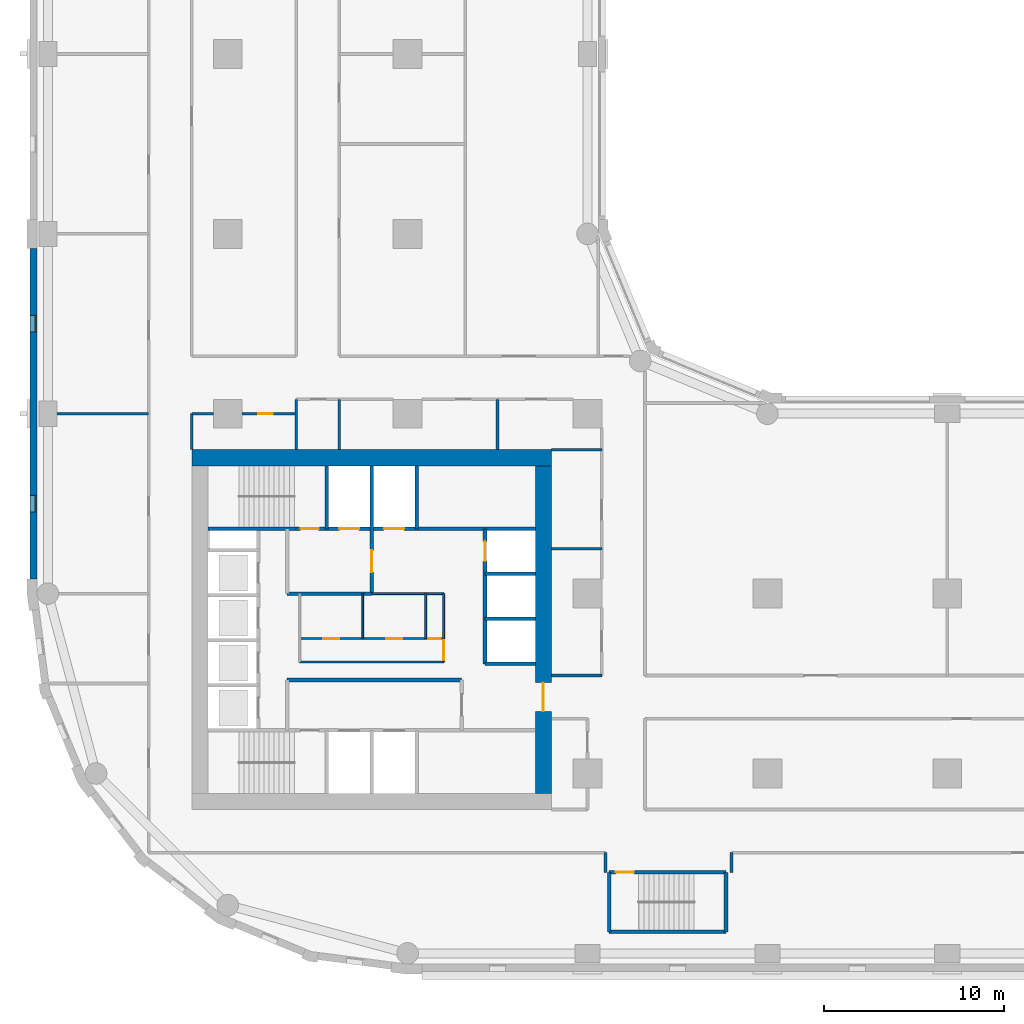
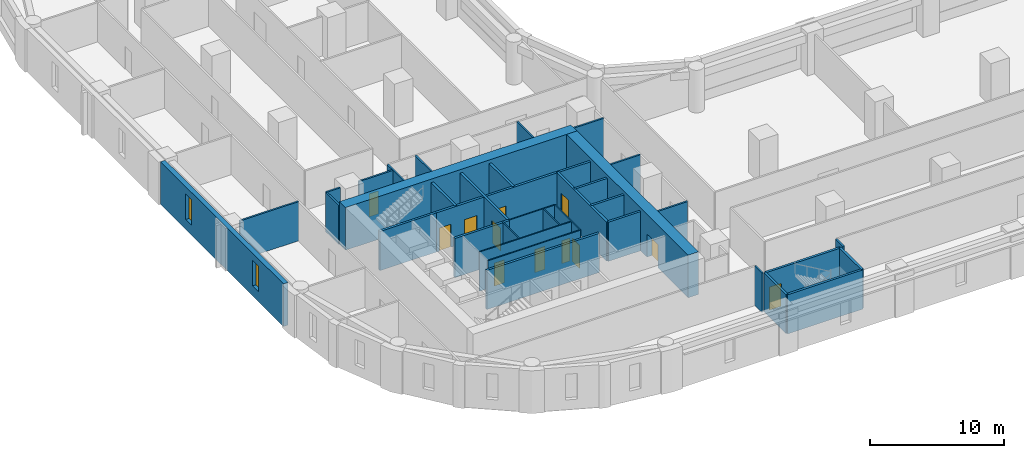
# One storey, part 3 of 10: 36 walls, 12 doors, 2 windows, 14 openings.
"""IFC4 building model written with IfcOpenShell, lengths in metres."""

from ifc_helpers import new_model, si_unit, direction, frame, frame_2d, origin, place, context, subcontext, project, spatial, rectangle, extrude, material, layer, layer_set, type_object, element, fill, save


model = new_model("IFC4")

# Units and contexts
model_context = context("Model", 3, precision=1e-05, world=origin(), true_north=direction((0.0, 1.0)))
body_context = subcontext(model_context, "Body", "Model", "MODEL_VIEW")
ifc_project = project(units=[si_unit("LENGTHUNIT", "METRE"), si_unit("AREAUNIT", "SQUARE_METRE"), si_unit("VOLUMEUNIT", "CUBIC_METRE"), si_unit("PLANEANGLEUNIT", "RADIAN"), si_unit("MASSUNIT", "GRAM", prefix="KILO")], contexts=[model_context])

# Site, building, storey
site_placement = place(None, origin())
site = spatial("IfcSite", under=ifc_project, at=site_placement, CompositionType="ELEMENT")
building_placement = place(site_placement, origin())
building = spatial("IfcBuilding", under=site, at=building_placement, Name="Qaws Garden Tower", CompositionType="ELEMENT")
storey_placement = place(building_placement, frame((0.0, 0.0, 62.699951171875)))
storey = spatial("IfcBuildingStorey", under=building, at=storey_placement, Name="L15", CompositionType="ELEMENT", Elevation=62.699951171875)

# Wall, openings, windows
ifc_material_1 = material(Name="Clay facing brick masonry", Category="masonry")
ifc_layer_1 = layer(ifc_material_1, 0.39990234375)
ifc_layer_set_1 = layer_set([ifc_layer_1], Name="Clay facing brick masonry")
wall_type_1 = type_object("IfcWallType", Name="Brick infill wall 400", PredefinedType="SOLIDWALL", material=ifc_layer_set_1)
wall_1_placement = place(storey_placement, frame((-0.800048828125, 39.199951171875, 0.0), z_axis=(0.0, 0.0, 1.0), x_axis=(0.0, -1.0, 0.0)))
wall_1 = element("IfcWall", 1, at=wall_1_placement, inside=storey, type_object=wall_type_1, Name="E-L15-infill-25", PredefinedType="SOLIDWALL", context=body_context, shape_type="SweptSolid", body=[
    extrude(rectangle(XDim=18.39990234375, YDim=0.39990234375, at=frame_2d((9.199951171875, 0.0))), origin(), (0.0, 0.0, 1.0), 3.900146484375),
])
opening_1_placement = place(wall_1_placement, frame((3.75, 0.0, 0.89990234375)))
opening_1 = element("IfcOpeningElement", 2, at=opening_1_placement, cuts=wall_1, Name="Opening W09", PredefinedType="OPENING", context=body_context, shape_type="SweptSolid", body=[
    extrude(rectangle(XDim=0.89990234375, YDim=2.35009765625, at=frame_2d((0.449951171875, 1.175048828125))), frame((0.0, 0.2099609375, 0.0), z_axis=(0.0, -1.0, 0.0), x_axis=(1.0, 0.0, 0.0)), (0.0, 0.0, 1.0), 0.419921875),
])
opening_2_placement = place(wall_1_placement, frame((13.75, 0.0, 0.89990234375)))
opening_2 = element("IfcOpeningElement", 3, at=opening_2_placement, cuts=wall_1, Name="Opening W09", PredefinedType="OPENING", context=body_context, shape_type="SweptSolid", body=[
    extrude(rectangle(XDim=0.89990234375, YDim=2.35009765625, at=frame_2d((0.449951171875, 1.175048828125))), frame((0.0, 0.2099609375, 0.0), z_axis=(0.0, -1.0, 0.0), x_axis=(1.0, 0.0, 0.0)), (0.0, 0.0, 1.0), 0.419921875),
])
ifc_material_2 = material(Name="Aluminium framed window, clear glazing", Category="aluminium")
window_type = type_object("IfcWindowType", Name="Slit window 900 x 2350", PartitioningType="SINGLE_PANEL", PredefinedType="WINDOW", material=ifc_material_2)
window_1_placement = place(opening_1_placement, origin())
window_1 = element("IfcWindow", 4, at=window_1_placement, inside=storey, type_object=window_type, Name="E-L15-window-25-0", OverallHeight=2.35009765625, OverallWidth=0.89990234375, PartitioningType="SINGLE_PANEL", PredefinedType="WINDOW", context=body_context, shape_type="SweptSolid", body=[
    extrude(rectangle(XDim=0.89990234375, YDim=2.35009765625, at=frame_2d((0.449951171875, 1.175048828125))), frame((0.0, 0.159912109375, 0.0), z_axis=(0.0, -1.0, 0.0), x_axis=(1.0, 0.0, 0.0)), (0.0, 0.0, 1.0), 0.06005859375),
])
fill(opening_1, window_1)
window_2_placement = place(opening_2_placement, origin())
window_2 = element("IfcWindow", 5, at=window_2_placement, inside=storey, type_object=window_type, Name="E-L15-window-26-0", OverallHeight=2.35009765625, OverallWidth=0.89990234375, PartitioningType="SINGLE_PANEL", PredefinedType="WINDOW", context=body_context, shape_type="SweptSolid", body=[
    extrude(rectangle(XDim=0.89990234375, YDim=2.35009765625, at=frame_2d((0.449951171875, 1.175048828125))), frame((0.0, 0.159912109375, 0.0), z_axis=(0.0, -1.0, 0.0), x_axis=(1.0, 0.0, 0.0)), (0.0, 0.0, 1.0), 0.06005859375),
])
fill(opening_2, window_2)

# Wall
ifc_material_3 = material(Name="Plasterboard")
ifc_layer_2 = layer(ifc_material_3, 0.10009765625)
ifc_layer_set_2 = layer_set([ifc_layer_2], Name="Plasterboard")
wall_type_2 = type_object("IfcWallType", Name="Core partition 100", PredefinedType="PARTITIONING", material=ifc_layer_set_2)
wall_2_placement = place(storey_placement, frame((14.0, 16.199951171875, 0.0), z_axis=(0.0, 0.0, 1.0), x_axis=(1.0, 0.0, 0.0)))
element("IfcWall", 6, at=wall_2_placement, inside=storey, type_object=wall_type_2, Name="Core partition", PredefinedType="PARTITIONING", context=body_context, shape_type="SweptSolid", body=[
    extrude(rectangle(XDim=8.0, YDim=0.10009765625, at=frame_2d((4.0, 0.0))), origin(), (0.0, 0.0, 1.0), 3.580078125),
])

# Wall, openings, doors
wall_3_placement = place(storey_placement, frame((14.0, 17.5, 0.0), z_axis=(0.0, 0.0, 1.0), x_axis=(1.0, 0.0, 0.0)))
wall_3 = element("IfcWall", 7, at=wall_3_placement, inside=storey, type_object=wall_type_2, Name="Core partition", PredefinedType="PARTITIONING", context=body_context, shape_type="SweptSolid", body=[
    extrude(rectangle(XDim=8.0, YDim=0.10009765625, at=frame_2d((4.0, 0.0))), origin(), (0.0, 0.0, 1.0), 3.580078125),
])
opening_3_placement = place(wall_3_placement, frame((1.300048828125, 0.0, 0.0)))
opening_3 = element("IfcOpeningElement", 8, at=opening_3_placement, cuts=wall_3, Name="Opening WD18", PredefinedType="OPENING", context=body_context, shape_type="SweptSolid", body=[
    extrude(rectangle(XDim=0.89990234375, YDim=2.10009765625, at=frame_2d((0.449951171875, 1.050048828125))), frame((0.0, 0.06005859375, 0.0), z_axis=(0.0, -1.0, 0.0), x_axis=(1.0, 0.0, 0.0)), (0.0, 0.0, 1.0), 0.1201171875),
])
opening_4_placement = place(wall_3_placement, frame((4.800048828125, 0.0, 0.0)))
opening_4 = element("IfcOpeningElement", 9, at=opening_4_placement, cuts=wall_3, Name="Opening WD19", PredefinedType="OPENING", context=body_context, shape_type="SweptSolid", body=[
    extrude(rectangle(XDim=0.89990234375, YDim=2.10009765625, at=frame_2d((0.449951171875, 1.050048828125))), frame((0.0, 0.06005859375, 0.0), z_axis=(0.0, -1.0, 0.0), x_axis=(1.0, 0.0, 0.0)), (0.0, 0.0, 1.0), 0.1201171875),
])
opening_5_placement = place(wall_3_placement, frame((7.14990234375, 0.0, 0.0)))
opening_5 = element("IfcOpeningElement", 10, at=opening_5_placement, cuts=wall_3, Name="Opening XD20", PredefinedType="OPENING", context=body_context, shape_type="SweptSolid", body=[
    extrude(rectangle(XDim=0.699951171875, YDim=2.10009765625, at=frame_2d((0.35009765625, 1.050048828125))), frame((0.0, 0.06005859375, 0.0), z_axis=(0.0, -1.0, 0.0), x_axis=(1.0, 0.0, 0.0)), (0.0, 0.0, 1.0), 0.1201171875),
])
ifc_material_4 = material(Name="Timber", Category="wood")
door_type_1 = type_object("IfcDoorType", Name="Store door 700x2100", OperationType="SINGLE_SWING_LEFT", PredefinedType="DOOR", material=ifc_material_4)
door_1_placement = place(opening_5_placement, origin())
door_1 = element("IfcDoor", 11, at=door_1_placement, inside=storey, type_object=door_type_1, Name="Cleaner's store door", OperationType="SINGLE_SWING_RIGHT", OverallHeight=2.10009765625, OverallWidth=0.699951171875, PredefinedType="DOOR", context=body_context, shape_type="SweptSolid", body=[
    extrude(rectangle(XDim=0.699951171875, YDim=2.10009765625, at=frame_2d((0.35009765625, 1.050048828125))), frame((0.0, 0.02490234375, 0.0), z_axis=(0.0, -1.0, 0.0), x_axis=(1.0, 0.0, 0.0)), (0.0, 0.0, 1.0), 0.050048828125),
])
fill(opening_5, door_1)
ifc_material_5 = material(Name="Timber", Category="wood")
door_type_2 = type_object("IfcDoorType", Name="WC door 900x2100", OperationType="SINGLE_SWING_LEFT", PredefinedType="DOOR", material=ifc_material_5)
door_2_placement = place(opening_3_placement, origin())
door_2 = element("IfcDoor", 12, at=door_2_placement, inside=storey, type_object=door_type_2, Name="Men's WC door", OperationType="SINGLE_SWING_RIGHT", OverallHeight=2.10009765625, OverallWidth=0.89990234375, PredefinedType="DOOR", context=body_context, shape_type="SweptSolid", body=[
    extrude(rectangle(XDim=0.89990234375, YDim=2.10009765625, at=frame_2d((0.449951171875, 1.050048828125))), frame((0.0, 0.02490234375, 0.0), z_axis=(0.0, -1.0, 0.0), x_axis=(1.0, 0.0, 0.0)), (0.0, 0.0, 1.0), 0.050048828125),
])
fill(opening_3, door_2)
door_3_placement = place(opening_4_placement, origin())
door_3 = element("IfcDoor", 13, at=door_3_placement, inside=storey, type_object=door_type_2, Name="Women's WC door", OperationType="SINGLE_SWING_RIGHT", OverallHeight=2.10009765625, OverallWidth=0.89990234375, PredefinedType="DOOR", context=body_context, shape_type="SweptSolid", body=[
    extrude(rectangle(XDim=0.89990234375, YDim=2.10009765625, at=frame_2d((0.449951171875, 1.050048828125))), frame((0.0, 0.02490234375, 0.0), z_axis=(0.0, -1.0, 0.0), x_axis=(1.0, 0.0, 0.0)), (0.0, 0.0, 1.0), 0.050048828125),
])
fill(opening_4, door_3)

# Walls
wall_4_placement = place(storey_placement, frame((18.0, 20.0, 0.0), z_axis=(0.0, 0.0, 1.0), x_axis=(1.0, 0.0, 0.0)))
element("IfcWall", 14, at=wall_4_placement, inside=storey, type_object=wall_type_2, Name="Core partition", PredefinedType="PARTITIONING", context=body_context, shape_type="SweptSolid", body=[
    extrude(rectangle(XDim=4.0, YDim=0.10009765625, at=frame_2d((2.0, 0.0))), origin(), (0.0, 0.0, 1.0), 3.580078125),
])
for number, where, z_axis, x_axis, name in (
    (15, (17.5, 17.5, 0.0), (0.0, 0.0, 1.0), (0.0, 1.0, 0.0), "Core partition"),
    (16, (21.0, 17.5, 0.0), (0.0, 0.0, 1.0), (0.0, 1.0, 0.0), "Core partition"),
):
    element("IfcWall", number, at=place(storey_placement, frame(where, z_axis=z_axis, x_axis=x_axis)), inside=storey, type_object=wall_type_2, Name=name, PredefinedType="PARTITIONING", context=body_context, shape_type="SweptSolid", body=[
        extrude(rectangle(XDim=2.5, YDim=0.10009765625, at=frame_2d((1.25, 0.0))), origin(), (0.0, 0.0, 1.0), 3.580078125),
    ])

# Wall, opening, door
wall_5_placement = place(storey_placement, frame((22.0, 16.199951171875, 0.0), z_axis=(0.0, 0.0, 1.0), x_axis=(0.0, 1.0, 0.0)))
wall_5 = element("IfcWall", 17, at=wall_5_placement, inside=storey, type_object=wall_type_2, Name="Core partition", PredefinedType="PARTITIONING", context=body_context, shape_type="SweptSolid", body=[
    extrude(rectangle(XDim=3.800048828125, YDim=0.10009765625, at=frame_2d((1.89990234375, 0.0))), origin(), (0.0, 0.0, 1.0), 3.580078125),
])
opening_6_placement = place(wall_5_placement, frame((0.10009765625, 0.0, 0.0)))
opening_6 = element("IfcOpeningElement", 18, at=opening_6_placement, cuts=wall_5, Name="Opening WL17", PredefinedType="OPENING", context=body_context, shape_type="SweptSolid", body=[
    extrude(rectangle(XDim=1.10009765625, YDim=2.10009765625, at=frame_2d((0.550048828125, 1.050048828125))), frame((0.0, 0.06005859375, 0.0), z_axis=(0.0, -1.0, 0.0), x_axis=(1.0, 0.0, 0.0)), (0.0, 0.0, 1.0), 0.1201171875),
])
ifc_material_6 = material(Name="Timber", Category="wood")
door_type_3 = type_object("IfcDoorType", Name="WC lobby door 1100x2100", OperationType="SINGLE_SWING_LEFT", PredefinedType="DOOR", material=ifc_material_6)
door_4_placement = place(opening_6_placement, origin())
door_4 = element("IfcDoor", 19, at=door_4_placement, inside=storey, type_object=door_type_3, Name="WC lobby door", OperationType="SINGLE_SWING_RIGHT", OverallHeight=2.10009765625, OverallWidth=1.10009765625, PredefinedType="DOOR", context=body_context, shape_type="SweptSolid", body=[
    extrude(rectangle(XDim=1.10009765625, YDim=2.10009765625, at=frame_2d((0.550048828125, 1.050048828125))), frame((0.0, 0.02490234375, 0.0), z_axis=(0.0, -1.0, 0.0), x_axis=(1.0, 0.0, 0.0)), (0.0, 0.0, 1.0), 0.050048828125),
])
fill(opening_6, door_4)

# Wall
ifc_material_7 = material(Name="Concrete C80", Category="concrete")
ifc_layer_3 = layer(ifc_material_7, 0.199951171875)
ifc_layer_set_3 = layer_set([ifc_layer_3], Name="Concrete C80")
wall_type_3 = type_object("IfcWallType", Name="Core shaft wall 200 C80", PredefinedType="SHEAR", material=ifc_layer_set_3)
wall_6_placement = place(storey_placement, frame((31.199951171875, 1.199951171875, 0.0), z_axis=(0.0, 0.0, 1.0), x_axis=(1.0, 0.0, 0.0)))
element("IfcWall", 20, at=wall_6_placement, inside=storey, type_object=wall_type_3, Name="Shaft wall", PredefinedType="SHEAR", context=body_context, shape_type="SweptSolid", body=[
    extrude(rectangle(XDim=6.5, YDim=0.199951171875, at=frame_2d((3.25, 0.0))), origin(), (0.0, 0.0, 1.0), 3.580078125),
])

# Wall, opening, door
wall_7_placement = place(storey_placement, frame((31.199951171875, 4.5, 0.0), z_axis=(0.0, 0.0, 1.0), x_axis=(1.0, 0.0, 0.0)))
wall_7 = element("IfcWall", 21, at=wall_7_placement, inside=storey, type_object=wall_type_3, Name="Shaft wall", PredefinedType="SHEAR", context=body_context, shape_type="SweptSolid", body=[
    extrude(rectangle(XDim=6.5, YDim=0.199951171875, at=frame_2d((3.25, 0.0))), origin(), (0.0, 0.0, 1.0), 3.580078125),
])
opening_7_placement = place(wall_7_placement, frame((0.375, 0.0, 0.0)))
opening_7 = element("IfcOpeningElement", 22, at=opening_7_placement, cuts=wall_7, Name="Opening SD12", PredefinedType="OPENING", context=body_context, shape_type="SweptSolid", body=[
    extrude(rectangle(XDim=1.0, YDim=2.10009765625, at=frame_2d((0.5, 1.050048828125))), frame((0.0, 0.10986328125, 0.0), z_axis=(0.0, -1.0, 0.0), x_axis=(1.0, 0.0, 0.0)), (0.0, 0.0, 1.0), 0.219970703125),
])
ifc_material_8 = material(Name="Steel S235", Category="steel")
door_type_4 = type_object("IfcDoorType", Name="Stair door 1000x2100", OperationType="SINGLE_SWING_RIGHT", PredefinedType="DOOR", material=ifc_material_8)
door_5_placement = place(opening_7_placement, frame((1.0, 0.0, 0.0), z_axis=(0.0, 0.0, 1.0), x_axis=(-1.0, 0.0, 0.0)))
door_5 = element("IfcDoor", 23, at=door_5_placement, inside=storey, type_object=door_type_4, Name="Stair 5 door", OperationType="SINGLE_SWING_RIGHT", OverallHeight=2.10009765625, OverallWidth=1.0, PredefinedType="DOOR", context=body_context, shape_type="SweptSolid", body=[
    extrude(rectangle(XDim=1.0, YDim=2.10009765625, at=frame_2d((0.5, 1.050048828125))), frame((0.0, 0.02490234375, 0.0), z_axis=(0.0, -1.0, 0.0), x_axis=(1.0, 0.0, 0.0)), (0.0, 0.0, 1.0), 0.050048828125),
])
fill(opening_7, door_5)

# Walls
wall_8_placement = place(storey_placement, frame((13.300048828125, 15.199951171875, 0.0), z_axis=(0.0, 0.0, 1.0), x_axis=(1.0, 0.0, 0.0)))
element("IfcWall", 24, at=wall_8_placement, inside=storey, type_object=wall_type_3, Name="Shaft wall", PredefinedType="SHEAR", context=body_context, shape_type="SweptSolid", body=[
    extrude(rectangle(XDim=9.699951171875, YDim=0.199951171875, at=frame_2d((4.85009765625, 0.0))), origin(), (0.0, 0.0, 1.0), 3.580078125),
])
for number, where, z_axis, x_axis, name in (
    (25, (24.300048828125, 16.10009765625, 0.0), (0.0, 0.0, 1.0), (1.0, 0.0, 0.0), "Shaft wall"),
    (26, (24.300048828125, 18.60009765625, 0.0), (0.0, 0.0, 1.0), (1.0, 0.0, 0.0), "Shaft wall"),
):
    element("IfcWall", number, at=place(storey_placement, frame(where, z_axis=z_axis, x_axis=x_axis)), inside=storey, type_object=wall_type_3, Name=name, PredefinedType="SHEAR", context=body_context, shape_type="SweptSolid", body=[
        extrude(rectangle(XDim=2.800048828125, YDim=0.199951171875, at=frame_2d((1.39990234375, 0.0))), origin(), (0.0, 0.0, 1.0), 3.580078125),
    ])
wall_9_placement = place(storey_placement, frame((13.300048828125, 20.0, 0.0), z_axis=(0.0, 0.0, 1.0), x_axis=(1.0, 0.0, 0.0)))
element("IfcWall", 27, at=wall_9_placement, inside=storey, type_object=wall_type_3, Name="Shaft wall", PredefinedType="SHEAR", context=body_context, shape_type="SweptSolid", body=[
    extrude(rectangle(XDim=4.699951171875, YDim=0.199951171875, at=frame_2d((2.35009765625, 0.0))), origin(), (0.0, 0.0, 1.0), 3.580078125),
])
wall_10_placement = place(storey_placement, frame((24.300048828125, 21.10009765625, 0.0), z_axis=(0.0, 0.0, 1.0), x_axis=(1.0, 0.0, 0.0)))
element("IfcWall", 28, at=wall_10_placement, inside=storey, type_object=wall_type_3, Name="Shaft wall", PredefinedType="SHEAR", context=body_context, shape_type="SweptSolid", body=[
    extrude(rectangle(XDim=2.800048828125, YDim=0.199951171875, at=frame_2d((1.39990234375, 0.0))), origin(), (0.0, 0.0, 1.0), 3.580078125),
])
wall_11_placement = place(storey_placement, frame((8.89990234375, 23.60009765625, 0.0), z_axis=(0.0, 0.0, 1.0), x_axis=(1.0, 0.0, 0.0)))
element("IfcWall", 29, at=wall_11_placement, inside=storey, type_object=wall_type_3, Name="Shaft wall", PredefinedType="SHEAR", context=body_context, shape_type="SweptSolid", body=[
    extrude(rectangle(XDim=4.900146484375, YDim=0.199951171875, at=frame_2d((2.4501953125, 0.0))), origin(), (0.0, 0.0, 1.0), 3.580078125),
])

# Wall, openings, doors
wall_12_placement = place(storey_placement, frame((13.800048828125, 23.60009765625, 0.0), z_axis=(0.0, 0.0, 1.0), x_axis=(1.0, 0.0, 0.0)))
wall_12 = element("IfcWall", 30, at=wall_12_placement, inside=storey, type_object=wall_type_3, Name="Shaft wall", PredefinedType="SHEAR", context=body_context, shape_type="SweptSolid", body=[
    extrude(rectangle(XDim=13.300048828125, YDim=0.199951171875, at=frame_2d((6.64990234375, 0.0))), origin(), (0.0, 0.0, 1.0), 3.580078125),
])
opening_8_placement = place(wall_12_placement, frame((2.39990234375, 0.0, 0.0)))
opening_8 = element("IfcOpeningElement", 31, at=opening_8_placement, cuts=wall_12, Name="Opening LD08", PredefinedType="OPENING", context=body_context, shape_type="SweptSolid", body=[
    extrude(rectangle(XDim=1.10009765625, YDim=2.10009765625, at=frame_2d((0.550048828125, 1.050048828125))), frame((0.0, 0.10986328125, 0.0), z_axis=(0.0, -1.0, 0.0), x_axis=(1.0, 0.0, 0.0)), (0.0, 0.0, 1.0), 0.219970703125),
])
opening_9_placement = place(wall_12_placement, frame((4.89990234375, 0.0, 0.0)))
opening_9 = element("IfcOpeningElement", 32, at=opening_9_placement, cuts=wall_12, Name="Opening LD09", PredefinedType="OPENING", context=body_context, shape_type="SweptSolid", body=[
    extrude(rectangle(XDim=1.10009765625, YDim=2.10009765625, at=frame_2d((0.550048828125, 1.050048828125))), frame((0.0, 0.10986328125, 0.0), z_axis=(0.0, -1.0, 0.0), x_axis=(1.0, 0.0, 0.0)), (0.0, 0.0, 1.0), 0.219970703125),
])
opening_10_placement = place(wall_12_placement, frame((0.25, 0.0, 0.0)))
opening_10 = element("IfcOpeningElement", 33, at=opening_10_placement, cuts=wall_12, Name="Opening SD11", PredefinedType="OPENING", context=body_context, shape_type="SweptSolid", body=[
    extrude(rectangle(XDim=1.0, YDim=2.10009765625, at=frame_2d((0.5, 1.050048828125))), frame((0.0, 0.10986328125, 0.0), z_axis=(0.0, -1.0, 0.0), x_axis=(1.0, 0.0, 0.0)), (0.0, 0.0, 1.0), 0.219970703125),
])
ifc_material_9 = material(Name="Steel S235", Category="steel")
door_type_5 = type_object("IfcDoorType", Name="Landing door 1100x2100", OperationType="DOUBLE_DOOR_SLIDING", PredefinedType="DOOR", material=ifc_material_9)
door_6_placement = place(opening_8_placement, origin())
door_6 = element("IfcDoor", 34, at=door_6_placement, inside=storey, type_object=door_type_5, Name="Lift FF3 landing door", OperationType="DOUBLE_DOOR_SLIDING", OverallHeight=2.10009765625, OverallWidth=1.10009765625, PredefinedType="DOOR", context=body_context, shape_type="SweptSolid", body=[
    extrude(rectangle(XDim=1.10009765625, YDim=2.10009765625, at=frame_2d((0.550048828125, 1.050048828125))), frame((0.0, 0.02490234375, 0.0), z_axis=(0.0, -1.0, 0.0), x_axis=(1.0, 0.0, 0.0)), (0.0, 0.0, 1.0), 0.050048828125),
])
fill(opening_8, door_6)
door_7_placement = place(opening_9_placement, origin())
door_7 = element("IfcDoor", 35, at=door_7_placement, inside=storey, type_object=door_type_5, Name="Lift SV2 landing door", OperationType="DOUBLE_DOOR_SLIDING", OverallHeight=2.10009765625, OverallWidth=1.10009765625, PredefinedType="DOOR", context=body_context, shape_type="SweptSolid", body=[
    extrude(rectangle(XDim=1.10009765625, YDim=2.10009765625, at=frame_2d((0.550048828125, 1.050048828125))), frame((0.0, 0.02490234375, 0.0), z_axis=(0.0, -1.0, 0.0), x_axis=(1.0, 0.0, 0.0)), (0.0, 0.0, 1.0), 0.050048828125),
])
fill(opening_9, door_7)
door_8_placement = place(opening_10_placement, origin())
door_8 = element("IfcDoor", 36, at=door_8_placement, inside=storey, type_object=door_type_4, Name="Stair 4 door", OperationType="SINGLE_SWING_RIGHT", OverallHeight=2.10009765625, OverallWidth=1.0, PredefinedType="DOOR", context=body_context, shape_type="SweptSolid", body=[
    extrude(rectangle(XDim=1.0, YDim=2.10009765625, at=frame_2d((0.5, 1.050048828125))), frame((0.0, 0.02490234375, 0.0), z_axis=(0.0, -1.0, 0.0), x_axis=(1.0, 0.0, 0.0)), (0.0, 0.0, 1.0), 0.050048828125),
])
fill(opening_10, door_8)

# Wall
wall_13_placement = place(storey_placement, frame((15.5, 23.60009765625, 0.0), z_axis=(0.0, 0.0, 1.0), x_axis=(0.0, 1.0, 0.0)))
element("IfcWall", 37, at=wall_13_placement, inside=storey, type_object=wall_type_3, Name="Shaft wall", PredefinedType="SHEAR", context=body_context, shape_type="SweptSolid", body=[
    extrude(rectangle(XDim=3.5, YDim=0.199951171875, at=frame_2d((1.75, 0.0))), origin(), (0.0, 0.0, 1.0), 3.580078125),
])

# Wall, opening, door
wall_14_placement = place(storey_placement, frame((18.0, 20.0, 0.0), z_axis=(0.0, 0.0, 1.0), x_axis=(0.0, 1.0, 0.0)))
wall_14 = element("IfcWall", 38, at=wall_14_placement, inside=storey, type_object=wall_type_3, Name="Shaft wall", PredefinedType="SHEAR", context=body_context, shape_type="SweptSolid", body=[
    extrude(rectangle(XDim=7.10009765625, YDim=0.199951171875, at=frame_2d((3.550048828125, 0.0))), origin(), (0.0, 0.0, 1.0), 3.580078125),
])
opening_11_placement = place(wall_14_placement, frame((1.199951171875, 0.0, 0.0)))
opening_11 = element("IfcOpeningElement", 39, at=opening_11_placement, cuts=wall_14, Name="Opening FD16", PredefinedType="OPENING", context=body_context, shape_type="SweptSolid", body=[
    extrude(rectangle(XDim=1.199951171875, YDim=2.10009765625, at=frame_2d((0.60009765625, 1.050048828125))), frame((0.0, 0.10986328125, 0.0), z_axis=(0.0, -1.0, 0.0), x_axis=(1.0, 0.0, 0.0)), (0.0, 0.0, 1.0), 0.219970703125),
])
ifc_material_10 = material(Name="Steel S235", Category="steel")
door_type_6 = type_object("IfcDoorType", Name="Lobby door 1200x2100", OperationType="DOUBLE_DOOR_SINGLE_SWING", PredefinedType="DOOR", material=ifc_material_10)
door_9_placement = place(opening_11_placement, origin())
door_9 = element("IfcDoor", 40, at=door_9_placement, inside=storey, type_object=door_type_6, Name="Fire-fighting lobby door", OperationType="DOUBLE_DOOR_SINGLE_SWING", OverallHeight=2.10009765625, OverallWidth=1.199951171875, PredefinedType="DOOR", context=body_context, shape_type="SweptSolid", body=[
    extrude(rectangle(XDim=1.199951171875, YDim=2.10009765625, at=frame_2d((0.60009765625, 1.050048828125))), frame((0.0, 0.02490234375, 0.0), z_axis=(0.0, -1.0, 0.0), x_axis=(1.0, 0.0, 0.0)), (0.0, 0.0, 1.0), 0.050048828125),
])
fill(opening_11, door_9)

# Wall
wall_15_placement = place(storey_placement, frame((20.5, 23.60009765625, 0.0), z_axis=(0.0, 0.0, 1.0), x_axis=(0.0, 1.0, 0.0)))
element("IfcWall", 41, at=wall_15_placement, inside=storey, type_object=wall_type_3, Name="Shaft wall", PredefinedType="SHEAR", context=body_context, shape_type="SweptSolid", body=[
    extrude(rectangle(XDim=3.5, YDim=0.199951171875, at=frame_2d((1.75, 0.0))), origin(), (0.0, 0.0, 1.0), 3.580078125),
])

# Wall, opening, door
wall_16_placement = place(storey_placement, frame((24.300048828125, 16.10009765625, 0.0), z_axis=(0.0, 0.0, 1.0), x_axis=(0.0, 1.0, 0.0)))
wall_16 = element("IfcWall", 42, at=wall_16_placement, inside=storey, type_object=wall_type_3, Name="Shaft wall", PredefinedType="SHEAR", context=body_context, shape_type="SweptSolid", body=[
    extrude(rectangle(XDim=7.5, YDim=0.199951171875, at=frame_2d((3.75, 0.0))), origin(), (0.0, 0.0, 1.0), 3.580078125),
])
opening_12_placement = place(wall_16_placement, frame((5.699951171875, 0.0, 0.0)))
opening_12 = element("IfcOpeningElement", 43, at=opening_12_placement, cuts=wall_16, Name="Opening LD05", PredefinedType="OPENING", context=body_context, shape_type="SweptSolid", body=[
    extrude(rectangle(XDim=1.10009765625, YDim=2.10009765625, at=frame_2d((0.550048828125, 1.050048828125))), frame((0.0, 0.10986328125, 0.0), z_axis=(0.0, -1.0, 0.0), x_axis=(1.0, 0.0, 0.0)), (0.0, 0.0, 1.0), 0.219970703125),
])
door_10_placement = place(opening_12_placement, origin())
door_10 = element("IfcDoor", 44, at=door_10_placement, inside=storey, type_object=door_type_5, Name="Lift E3 landing door", OperationType="DOUBLE_DOOR_SLIDING", OverallHeight=2.10009765625, OverallWidth=1.10009765625, PredefinedType="DOOR", context=body_context, shape_type="SweptSolid", body=[
    extrude(rectangle(XDim=1.10009765625, YDim=2.10009765625, at=frame_2d((0.550048828125, 1.050048828125))), frame((0.0, 0.02490234375, 0.0), z_axis=(0.0, -1.0, 0.0), x_axis=(1.0, 0.0, 0.0)), (0.0, 0.0, 1.0), 0.050048828125),
])
fill(opening_12, door_10)

# Walls
for number, where, z_axis, x_axis, name in (
    (45, (31.199951171875, 1.199951171875, 0.0), (0.0, 0.0, 1.0), (0.0, 1.0, 0.0), "Shaft wall"),
    (46, (37.699951171875, 1.199951171875, 0.0), (0.0, 0.0, 1.0), (0.0, 1.0, 0.0), "Shaft wall"),
):
    element("IfcWall", number, at=place(storey_placement, frame(where, z_axis=z_axis, x_axis=x_axis)), inside=storey, type_object=wall_type_3, Name=name, PredefinedType="SHEAR", context=body_context, shape_type="SweptSolid", body=[
        extrude(rectangle(XDim=3.300048828125, YDim=0.199951171875, at=frame_2d((1.64990234375, 0.0))), origin(), (0.0, 0.0, 1.0), 3.580078125),
    ])

# Wall, opening, door
ifc_material_11 = material(Name="Concrete C80", Category="concrete")
ifc_layer_4 = layer(ifc_material_11, 0.89990234375)
ifc_layer_set_4 = layer_set([ifc_layer_4], Name="Concrete C80")
wall_type_4 = type_object("IfcWallType", Name="Core wall 900 C80", PredefinedType="SHEAR", material=ifc_layer_set_4)
wall_17_placement = place(storey_placement, frame((27.550048828125, 8.89990234375, 0.0), z_axis=(0.0, 0.0, 1.0), x_axis=(0.0, 1.0, 0.0)))
wall_17 = element("IfcWall", 47, at=wall_17_placement, inside=storey, type_object=wall_type_4, Name="Core wall L15 east", PredefinedType="SHEAR", context=body_context, shape_type="SweptSolid", body=[
    extrude(rectangle(XDim=18.2001953125, YDim=0.89990234375, at=frame_2d((9.10009765625, 0.0))), origin(), (0.0, 0.0, 1.0), 3.900146484375),
])
opening_13_placement = place(wall_17_placement, frame((4.550048828125, 0.0, 0.0)))
opening_13 = element("IfcOpeningElement", 48, at=opening_13_placement, cuts=wall_17, Name="Opening ED21", PredefinedType="OPENING", context=body_context, shape_type="SweptSolid", body=[
    extrude(rectangle(XDim=1.60009765625, YDim=2.10009765625, at=frame_2d((0.800048828125, 1.050048828125))), frame((0.0, 0.4599609375, 0.0), z_axis=(0.0, -1.0, 0.0), x_axis=(1.0, 0.0, 0.0)), (0.0, 0.0, 1.0), 0.919921875),
])
ifc_material_12 = material(Name="Steel S235", Category="steel")
door_type_7 = type_object("IfcDoorType", Name="Core entrance door 1600x2100", OperationType="DOUBLE_DOOR_SINGLE_SWING", PredefinedType="DOOR", material=ifc_material_12)
door_11_placement = place(opening_13_placement, origin())
door_11 = element("IfcDoor", 49, at=door_11_placement, inside=storey, type_object=door_type_7, Name="Core entrance door", OperationType="DOUBLE_DOOR_SINGLE_SWING", OverallHeight=2.10009765625, OverallWidth=1.60009765625, PredefinedType="DOOR", context=body_context, shape_type="SweptSolid", body=[
    extrude(rectangle(XDim=1.60009765625, YDim=2.10009765625, at=frame_2d((0.800048828125, 1.050048828125))), frame((0.0, 0.02490234375, 0.0), z_axis=(0.0, -1.0, 0.0), x_axis=(1.0, 0.0, 0.0)), (0.0, 0.0, 1.0), 0.050048828125),
])
fill(opening_13, door_11)

# Walls
wall_18_placement = place(storey_placement, frame((28.0, 27.550048828125, 0.0), z_axis=(0.0, 0.0, 1.0), x_axis=(-1.0, 0.0, 0.0)))
element("IfcWall", 50, at=wall_18_placement, inside=storey, type_object=wall_type_4, Name="Core wall L15 north", PredefinedType="SHEAR", context=body_context, shape_type="SweptSolid", body=[
    extrude(rectangle(XDim=20.0, YDim=0.89990234375, at=frame_2d((10.0, 0.0))), origin(), (0.0, 0.0, 1.0), 3.900146484375),
])
ifc_material_13 = material(Name="Gypsum board partition")
ifc_layer_5 = layer(ifc_material_13, 0.14990234375)
ifc_layer_set_5 = layer_set([ifc_layer_5], Name="Gypsum board partition")
wall_type_5 = type_object("IfcWallType", Name="PARTITION 150 EI 60", PredefinedType="PARTITIONING", material=ifc_layer_set_5)
wall_19_placement = place(storey_placement, frame((8.0, 28.0, 0.0), z_axis=(0.0, 0.0, 1.0), x_axis=(0.0, 1.0, 0.0)))
element("IfcWall", 51, at=wall_19_placement, inside=storey, type_object=wall_type_5, Name="O-L15-wall-002", PredefinedType="PARTITIONING", context=body_context, shape_type="SweptSolid", body=[
    extrude(rectangle(XDim=2.0, YDim=0.14990234375, at=frame_2d((1.0, 0.0))), origin(), (0.0, 0.0, 1.0), 3.580078125),
])
for number, where, z_axis, x_axis, name in (
    (52, (13.800048828125, 28.0, 0.0), (0.0, 0.0, 1.0), (0.0, 1.0, 0.0), "O-L15-wall-005"),
    (53, (16.199951171875, 28.0, 0.0), (0.0, 0.0, 1.0), (0.0, 1.0, 0.0), "O-L15-wall-007"),
    (54, (25.0, 28.0, 0.0), (0.0, 0.0, 1.0), (0.0, 1.0, 0.0), "O-L15-wall-011"),
):
    element("IfcWall", number, at=place(storey_placement, frame(where, z_axis=z_axis, x_axis=x_axis)), inside=storey, type_object=wall_type_5, Name=name, PredefinedType="PARTITIONING", context=body_context, shape_type="SweptSolid", body=[
        extrude(rectangle(XDim=2.800048828125, YDim=0.14990234375, at=frame_2d((1.39990234375, 0.0))), origin(), (0.0, 0.0, 1.0), 3.580078125),
    ])
for number, where, z_axis, x_axis, name in (
    (55, (31.0, 4.5, 0.0), (0.0, 0.0, 1.0), (0.0, 1.0, 0.0), "O-L15-wall-018"),
    (56, (38.0, 4.5, 0.0), (0.0, 0.0, 1.0), (0.0, 1.0, 0.0), "O-L15-wall-021"),
):
    element("IfcWall", number, at=place(storey_placement, frame(where, z_axis=z_axis, x_axis=x_axis)), inside=storey, type_object=wall_type_5, Name=name, PredefinedType="PARTITIONING", context=body_context, shape_type="SweptSolid", body=[
        extrude(rectangle(XDim=1.10009765625, YDim=0.14990234375, at=frame_2d((0.550048828125, 0.0))), origin(), (0.0, 0.0, 1.0), 3.580078125),
    ])
for number, where, z_axis, x_axis, name in (
    (57, (28.0, 15.449951171875, 0.0), (0.0, 0.0, 1.0), (1.0, 0.0, 0.0), "O-L15-wall-033"),
    (58, (28.0, 22.5, 0.0), (0.0, 0.0, 1.0), (1.0, 0.0, 0.0), "O-L15-wall-036"),
    (59, (28.0, 28.0, 0.0), (0.0, 0.0, 1.0), (1.0, 0.0, 0.0), "O-L15-wall-037"),
):
    element("IfcWall", number, at=place(storey_placement, frame(where, z_axis=z_axis, x_axis=x_axis)), inside=storey, type_object=wall_type_5, Name=name, PredefinedType="PARTITIONING", context=body_context, shape_type="SweptSolid", body=[
        extrude(rectangle(XDim=2.800048828125, YDim=0.14990234375, at=frame_2d((1.39990234375, 0.0))), origin(), (0.0, 0.0, 1.0), 3.580078125),
    ])
wall_20_placement = place(storey_placement, frame((0.5, 30.0, 0.0), z_axis=(0.0, 0.0, 1.0), x_axis=(1.0, 0.0, 0.0)))
element("IfcWall", 60, at=wall_20_placement, inside=storey, type_object=wall_type_5, Name="O-L15-wall-038", PredefinedType="PARTITIONING", context=body_context, shape_type="SweptSolid", body=[
    extrude(rectangle(XDim=5.10009765625, YDim=0.14990234375, at=frame_2d((2.550048828125, 0.0))), origin(), (0.0, 0.0, 1.0), 3.580078125),
])
wall_21_placement = place(storey_placement, frame((8.0, 30.0, 0.0), z_axis=(0.0, 0.0, 1.0), x_axis=(1.0, 0.0, 0.0)))
element("IfcWall", 61, at=wall_21_placement, inside=storey, type_object=wall_type_5, Name="O-L15-wall-039", PredefinedType="PARTITIONING", context=body_context, shape_type="SweptSolid", body=[
    extrude(rectangle(XDim=1.199951171875, YDim=0.14990234375, at=frame_2d((0.60009765625, 0.0))), origin(), (0.0, 0.0, 1.0), 3.580078125),
])

# Wall, opening, door
wall_22_placement = place(storey_placement, frame((10.800048828125, 30.0, 0.0), z_axis=(0.0, 0.0, 1.0), x_axis=(1.0, 0.0, 0.0)))
wall_22 = element("IfcWall", 62, at=wall_22_placement, inside=storey, type_object=wall_type_5, Name="O-L15-wall-040", PredefinedType="PARTITIONING", context=body_context, shape_type="SweptSolid", body=[
    extrude(rectangle(XDim=3.0, YDim=0.14990234375, at=frame_2d((1.5, 0.0))), origin(), (0.0, 0.0, 1.0), 3.580078125),
])
opening_14_placement = place(wall_22_placement, frame((0.89990234375, 0.0, 0.0)))
opening_14 = element("IfcOpeningElement", 63, at=opening_14_placement, cuts=wall_22, Name="Opening A505", PredefinedType="OPENING", context=body_context, shape_type="SweptSolid", body=[
    extrude(rectangle(XDim=0.800048828125, YDim=2.10009765625, at=frame_2d((0.39990234375, 1.050048828125))), frame((0.0, 0.0849609375, 0.0), z_axis=(0.0, -1.0, 0.0), x_axis=(1.0, 0.0, 0.0)), (0.0, 0.0, 1.0), 0.169921875),
])
ifc_material_14 = material(Name="Timber door leaf", Category="wood")
door_type_8 = type_object("IfcDoorType", Name="STORE DOOR 800 X 2100", OperationType="SINGLE_SWING_LEFT", PredefinedType="DOOR", material=ifc_material_14)
door_12_placement = place(opening_14_placement, frame((0.800048828125, 0.0, 0.0), z_axis=(0.0, 0.0, 1.0), x_axis=(-1.0, 0.0, 0.0)))
door_12 = element("IfcDoor", 64, at=door_12_placement, inside=storey, type_object=door_type_8, Name="O-L15-door-005", OperationType="SINGLE_SWING_RIGHT", OverallHeight=2.10009765625, OverallWidth=0.800048828125, PredefinedType="DOOR", context=body_context, shape_type="SweptSolid", body=[
    extrude(rectangle(XDim=0.800048828125, YDim=2.10009765625, at=frame_2d((0.39990234375, 1.050048828125))), frame((0.0, 0.02490234375, 0.0), z_axis=(0.0, -1.0, 0.0), x_axis=(1.0, 0.0, 0.0)), (0.0, 0.0, 1.0), 0.050048828125),
])
fill(opening_14, door_12)

save(model, "model.ifc")
